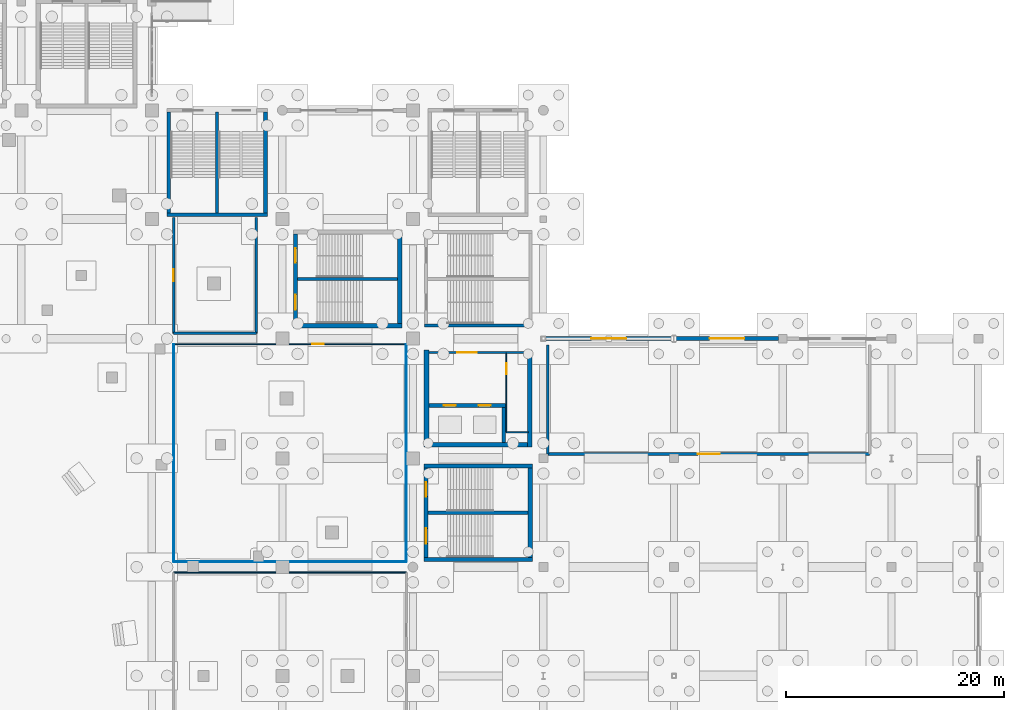
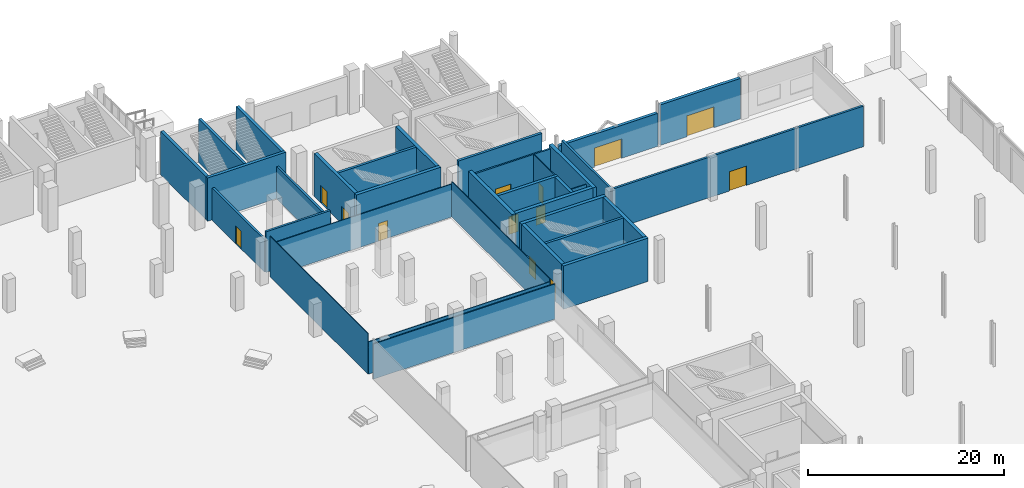
# One storey, part 56 of 70: 34 walls, 13 doors, 13 openings.
"""IFC4 building model written with IfcOpenShell, lengths in metres."""

from ifc_helpers import new_model, si_unit, direction, frame, frame_2d, origin, place, context, subcontext, project, spatial, rectangle, extrude, material, layer, layer_set, type_object, element, fill, save


model = new_model("IFC4")

# Units and contexts
model_context = context("Model", 3, precision=1e-05, world=origin(), true_north=direction((0.0, 1.0)))
body_context = subcontext(model_context, "Body", "Model", "MODEL_VIEW")
ifc_project = project(units=[si_unit("LENGTHUNIT", "METRE"), si_unit("AREAUNIT", "SQUARE_METRE"), si_unit("VOLUMEUNIT", "CUBIC_METRE"), si_unit("PLANEANGLEUNIT", "RADIAN"), si_unit("MASSUNIT", "GRAM", prefix="KILO")], contexts=[model_context])

# Site, building, storey
site_placement = place(None, origin())
site = spatial("IfcSite", under=ifc_project, at=site_placement, CompositionType="ELEMENT")
building_placement = place(site_placement, origin())
building = spatial("IfcBuilding", under=site, at=building_placement, Name="Brinegate Civic Arena", CompositionType="ELEMENT")
storey_placement = place(building_placement, origin())
storey = spatial("IfcBuildingStorey", under=building, at=storey_placement, Name="L00", CompositionType="ELEMENT", Elevation=0.0)

# Walls
ifc_material_1 = material(Name="Concrete C50/60", Category="concrete")
ifc_layer_1 = layer(ifc_material_1, 0.35009765625, Name="Concrete C50/60")
ifc_layer_set_1 = layer_set([ifc_layer_1], Name="Concrete C50/60")
wall_type_1 = type_object("IfcWallType", Name="WALL-CORE-SHEAR-350", PredefinedType="SHEAR", material=ifc_layer_set_1)
for number, where, z_axis, x_axis, name in (
    (1, (133.375, 104.39990234375, 0.0), (0.0, 0.0, 1.0), (1.0, 0.0, 0.0), "Stair ST-13 South Shear Wall L00 (WBE-30)"),
    (2, (133.550048828125, 104.574951171875, 0.0), (0.0, 0.0, 1.0), (0.0, 1.0, 0.0), "Stair ST-13 West Shear Wall L00 (WBE-32)"),
    (3, (142.449951171875, 104.574951171875, 0.0), (0.0, 0.0, 1.0), (0.0, 1.0, 0.0), "Stair ST-13 East Shear Wall L00 (WBE-33)"),
):
    element("IfcWall", number, at=place(storey_placement, frame(where, z_axis=z_axis, x_axis=x_axis)), inside=storey, type_object=wall_type_1, Name=name, PredefinedType="SHEAR", context=body_context, shape_type="SweptSolid", body=[
        extrude(rectangle(XDim=9.25, YDim=0.35009765625, at=frame_2d((4.625, 0.0))), origin(), (0.0, 0.0, 1.0), 5.39990234375),
    ])

# Wall, openings, doors
wall_1_placement = place(storey_placement, frame((157.4599609375, 86.85009765625, 0.0), z_axis=(0.0, 0.0, 1.0), x_axis=(1.0, 0.0, 0.0)))
wall_1 = element("IfcWall", 4, at=wall_1_placement, inside=storey, type_object=wall_type_1, Name="Core K5 Lift Shaft Front Wall L00 (WBH-43)", PredefinedType="SHEAR", context=body_context, shape_type="SweptSolid", body=[
    extrude(rectangle(XDim=7.06494140625, YDim=0.35009765625, at=frame_2d((3.532470703125, 0.0))), origin(), (0.0, 0.0, 1.0), 5.39990234375),
])
opening_1_placement = place(wall_1_placement, frame((1.389892578125, 0.0, 0.0)))
opening_1 = element("IfcOpeningElement", 5, at=opening_1_placement, cuts=wall_1, Name="Opening LD-PL7-L00", PredefinedType="OPENING", context=body_context, shape_type="SweptSolid", body=[
    extrude(rectangle(XDim=1.10009765625, YDim=2.199951171875, at=frame_2d((0.550048828125, 1.10009765625))), frame((0.0, 0.18505859375, 0.0), z_axis=(0.0, -1.0, 0.0), x_axis=(1.0, 0.0, 0.0)), (0.0, 0.0, 1.0), 0.3701171875),
])
opening_2_placement = place(wall_1_placement, frame((4.590087890625, 0.0, 0.0)))
opening_2 = element("IfcOpeningElement", 6, at=opening_2_placement, cuts=wall_1, Name="Opening LD-PL8-L00", PredefinedType="OPENING", context=body_context, shape_type="SweptSolid", body=[
    extrude(rectangle(XDim=1.10009765625, YDim=2.199951171875, at=frame_2d((0.550048828125, 1.10009765625))), frame((0.0, 0.18505859375, 0.0), z_axis=(0.0, -1.0, 0.0), x_axis=(1.0, 0.0, 0.0)), (0.0, 0.0, 1.0), 0.3701171875),
])
ifc_material_2 = material(Name="Architectural stainless steel balustrade", Category="steel")
door_type_1 = type_object("IfcDoorType", Name="DOOR-LIFT-1100X2200", OperationType="SLIDING_TO_LEFT", PredefinedType="DOOR", material=ifc_material_2)
door_1_placement = place(opening_1_placement, origin())
door_1 = element("IfcDoor", 7, at=door_1_placement, inside=storey, type_object=door_type_1, Name="Sliding Lift Landing Door LD-PL7-L00", OperationType="SLIDING_TO_LEFT", OverallHeight=2.199951171875, OverallWidth=1.10009765625, PredefinedType="DOOR", context=body_context, shape_type="SweptSolid", body=[
    extrude(rectangle(XDim=1.10009765625, YDim=2.199951171875, at=frame_2d((0.550048828125, 1.10009765625))), frame((0.0, 0.02490234375, 0.0), z_axis=(0.0, -1.0, 0.0), x_axis=(1.0, 0.0, 0.0)), (0.0, 0.0, 1.0), 0.050048828125),
])
fill(opening_1, door_1)
door_2_placement = place(opening_2_placement, origin())
door_2 = element("IfcDoor", 8, at=door_2_placement, inside=storey, type_object=door_type_1, Name="Sliding Lift Landing Door LD-PL8-L00", OperationType="SLIDING_TO_LEFT", OverallHeight=2.199951171875, OverallWidth=1.10009765625, PredefinedType="DOOR", context=body_context, shape_type="SweptSolid", body=[
    extrude(rectangle(XDim=1.10009765625, YDim=2.199951171875, at=frame_2d((0.550048828125, 1.10009765625))), frame((0.0, 0.02490234375, 0.0), z_axis=(0.0, -1.0, 0.0), x_axis=(1.0, 0.0, 0.0)), (0.0, 0.0, 1.0), 0.050048828125),
])
fill(opening_2, door_2)

# Walls
wall_2_placement = place(storey_placement, frame((164.35009765625, 83.4599609375, 0.0), z_axis=(0.0, 0.0, 1.0), x_axis=(0.0, 1.0, 0.0)))
element("IfcWall", 9, at=wall_2_placement, inside=storey, type_object=wall_type_1, Name="Core K5 Lift Shaft End Wall L00 (WBH-44)", PredefinedType="SHEAR", context=body_context, shape_type="SweptSolid", body=[
    extrude(rectangle(XDim=3.215087890625, YDim=0.35009765625, at=frame_2d((1.607421875, 0.0))), origin(), (0.0, 0.0, 1.0), 5.39990234375),
])
ifc_layer_2 = layer(ifc_material_1, 0.389892578125, Name="Concrete C50/60")
ifc_layer_set_2 = layer_set([ifc_layer_2], Name="Concrete C50/60")
wall_type_2 = type_object("IfcWallType", Name="WALL-CORE-SHEAR-390", PredefinedType="SHEAR", material=ifc_layer_set_2)
for number, where, z_axis, x_axis, name in (
    (10, (157.0048828125, 72.699951171875, 0.0), (0.0, 0.0, 1.0), (1.0, 0.0, 0.0), "Stair ST-09 South Shear Wall L00 (WBD-29)"),
    (11, (157.0048828125, 81.300048828125, 0.0), (0.0, 0.0, 1.0), (1.0, 0.0, 0.0), "Stair ST-09 North Shear Wall L00 (WBD-30)"),
):
    element("IfcWall", number, at=place(storey_placement, frame(where, z_axis=z_axis, x_axis=x_axis)), inside=storey, type_object=wall_type_2, Name=name, PredefinedType="SHEAR", context=body_context, shape_type="SweptSolid", body=[
        extrude(rectangle(XDim=9.990234375, YDim=0.389892578125, at=frame_2d((4.9951171875, 0.0))), origin(), (0.0, 0.0, 1.0), 5.39990234375),
    ])

# Wall, openings, doors
wall_3_placement = place(storey_placement, frame((157.199951171875, 72.89501953125, 0.0), z_axis=(0.0, 0.0, 1.0), x_axis=(0.0, 1.0, 0.0)))
wall_3 = element("IfcWall", 12, at=wall_3_placement, inside=storey, type_object=wall_type_2, Name="Stair ST-09 West Shear Wall L00 (WBD-31)", PredefinedType="SHEAR", context=body_context, shape_type="SweptSolid", body=[
    extrude(rectangle(XDim=8.2099609375, YDim=0.389892578125, at=frame_2d((4.10498046875, 0.0))), origin(), (0.0, 0.0, 1.0), 5.39990234375),
])
opening_3_placement = place(wall_3_placement, frame((1.2548828125, 0.0, 0.0)))
opening_3 = element("IfcOpeningElement", 13, at=opening_3_placement, cuts=wall_3, Name="Opening D-ST09A-L00", PredefinedType="OPENING", context=body_context, shape_type="SweptSolid", body=[
    extrude(rectangle(XDim=1.39990234375, YDim=2.199951171875, at=frame_2d((0.699951171875, 1.10009765625))), frame((0.0, 0.204833984375, 0.0), z_axis=(0.0, -1.0, 0.0), x_axis=(1.0, 0.0, 0.0)), (0.0, 0.0, 1.0), 0.409912109375),
])
opening_4_placement = place(wall_3_placement, frame((5.594970703125, 0.0, 0.0)))
opening_4 = element("IfcOpeningElement", 14, at=opening_4_placement, cuts=wall_3, Name="Opening D-ST09B-L00", PredefinedType="OPENING", context=body_context, shape_type="SweptSolid", body=[
    extrude(rectangle(XDim=1.320068359375, YDim=2.199951171875, at=frame_2d((0.66015625, 1.10009765625))), frame((0.0, 0.204833984375, 0.0), z_axis=(0.0, -1.0, 0.0), x_axis=(1.0, 0.0, 0.0)), (0.0, 0.0, 1.0), 0.409912109375),
])
ifc_material_3 = material(Name="Galvanized hurricane steel", Category="steel")
door_type_2 = type_object("IfcDoorType", Name="DOOR-STAIR-2200X2200", OperationType="NOTDEFINED", PredefinedType="DOOR", material=ifc_material_3)
door_3_placement = place(opening_4_placement, origin())
door_3 = element("IfcDoor", 15, at=door_3_placement, inside=storey, type_object=door_type_2, Name="Protected Exit Stair Door D-ST09B-L00", OperationType="DOUBLE_DOOR_SINGLE_SWING", OverallHeight=2.199951171875, OverallWidth=1.320068359375, PredefinedType="DOOR", context=body_context, shape_type="SweptSolid", body=[
    extrude(rectangle(XDim=1.320068359375, YDim=2.199951171875, at=frame_2d((0.66015625, 1.10009765625))), frame((0.0, 0.02490234375, 0.0), z_axis=(0.0, -1.0, 0.0), x_axis=(1.0, 0.0, 0.0)), (0.0, 0.0, 1.0), 0.050048828125),
])
fill(opening_4, door_3)
door_type_3 = type_object("IfcDoorType", Name="DOOR-STAIR-2400X2200", OperationType="NOTDEFINED", PredefinedType="DOOR", material=ifc_material_3)
door_4_placement = place(opening_3_placement, origin())
door_4 = element("IfcDoor", 16, at=door_4_placement, inside=storey, type_object=door_type_3, Name="Protected Exit Stair Door D-ST09A-L00", OperationType="DOUBLE_DOOR_SINGLE_SWING", OverallHeight=2.199951171875, OverallWidth=1.39990234375, PredefinedType="DOOR", context=body_context, shape_type="SweptSolid", body=[
    extrude(rectangle(XDim=1.39990234375, YDim=2.199951171875, at=frame_2d((0.699951171875, 1.10009765625))), frame((0.0, 0.02490234375, 0.0), z_axis=(0.0, -1.0, 0.0), x_axis=(1.0, 0.0, 0.0)), (0.0, 0.0, 1.0), 0.050048828125),
])
fill(opening_3, door_4)

# Walls
wall_4_placement = place(storey_placement, frame((166.800048828125, 72.89501953125, 0.0), z_axis=(0.0, 0.0, 1.0), x_axis=(0.0, 1.0, 0.0)))
element("IfcWall", 17, at=wall_4_placement, inside=storey, type_object=wall_type_2, Name="Stair ST-09 East Shear Wall L00 (WBD-32)", PredefinedType="SHEAR", context=body_context, shape_type="SweptSolid", body=[
    extrude(rectangle(XDim=8.2099609375, YDim=0.389892578125, at=frame_2d((4.10498046875, 0.0))), origin(), (0.0, 0.0, 1.0), 5.39990234375),
])
wall_5_placement = place(storey_placement, frame((145.0048828125, 94.199951171875, 0.0), z_axis=(0.0, 0.0, 1.0), x_axis=(1.0, 0.0, 0.0)))
element("IfcWall", 18, at=wall_5_placement, inside=storey, type_object=wall_type_2, Name="Stair ST-18 South Shear Wall L00 (WBL-01)", PredefinedType="SHEAR", context=body_context, shape_type="SweptSolid", body=[
    extrude(rectangle(XDim=9.990234375, YDim=0.389892578125, at=frame_2d((4.9951171875, 0.0))), origin(), (0.0, 0.0, 1.0), 5.39990234375),
])

# Wall, openings, doors
wall_6_placement = place(storey_placement, frame((145.199951171875, 94.39501953125, 0.0), z_axis=(0.0, 0.0, 1.0), x_axis=(0.0, 1.0, 0.0)))
wall_6 = element("IfcWall", 19, at=wall_6_placement, inside=storey, type_object=wall_type_2, Name="Stair ST-18 West Shear Wall L00 (WBL-03)", PredefinedType="SHEAR", context=body_context, shape_type="SweptSolid", body=[
    extrude(rectangle(XDim=8.2099609375, YDim=0.389892578125, at=frame_2d((4.10498046875, 0.0))), origin(), (0.0, 0.0, 1.0), 5.39990234375),
])
opening_5_placement = place(wall_6_placement, frame((1.2548828125, 0.0, 0.0)))
opening_5 = element("IfcOpeningElement", 20, at=opening_5_placement, cuts=wall_6, Name="Opening D-ST18A-L00", PredefinedType="OPENING", context=body_context, shape_type="SweptSolid", body=[
    extrude(rectangle(XDim=1.39990234375, YDim=2.199951171875, at=frame_2d((0.699951171875, 1.10009765625))), frame((0.0, 0.204833984375, 0.0), z_axis=(0.0, -1.0, 0.0), x_axis=(1.0, 0.0, 0.0)), (0.0, 0.0, 1.0), 0.409912109375),
])
opening_6_placement = place(wall_6_placement, frame((5.594970703125, 0.0, 0.0)))
opening_6 = element("IfcOpeningElement", 21, at=opening_6_placement, cuts=wall_6, Name="Opening D-ST18B-L00", PredefinedType="OPENING", context=body_context, shape_type="SweptSolid", body=[
    extrude(rectangle(XDim=1.320068359375, YDim=2.199951171875, at=frame_2d((0.66015625, 1.10009765625))), frame((0.0, 0.204833984375, 0.0), z_axis=(0.0, -1.0, 0.0), x_axis=(1.0, 0.0, 0.0)), (0.0, 0.0, 1.0), 0.409912109375),
])
door_5_placement = place(opening_6_placement, origin())
door_5 = element("IfcDoor", 22, at=door_5_placement, inside=storey, type_object=door_type_2, Name="Protected Exit Stair Door D-ST18B-L00", OperationType="DOUBLE_DOOR_SINGLE_SWING", OverallHeight=2.199951171875, OverallWidth=1.320068359375, PredefinedType="DOOR", context=body_context, shape_type="SweptSolid", body=[
    extrude(rectangle(XDim=1.320068359375, YDim=2.199951171875, at=frame_2d((0.66015625, 1.10009765625))), frame((0.0, 0.02490234375, 0.0), z_axis=(0.0, -1.0, 0.0), x_axis=(1.0, 0.0, 0.0)), (0.0, 0.0, 1.0), 0.050048828125),
])
fill(opening_6, door_5)
door_6_placement = place(opening_5_placement, origin())
door_6 = element("IfcDoor", 23, at=door_6_placement, inside=storey, type_object=door_type_3, Name="Protected Exit Stair Door D-ST18A-L00", OperationType="DOUBLE_DOOR_SINGLE_SWING", OverallHeight=2.199951171875, OverallWidth=1.39990234375, PredefinedType="DOOR", context=body_context, shape_type="SweptSolid", body=[
    extrude(rectangle(XDim=1.39990234375, YDim=2.199951171875, at=frame_2d((0.699951171875, 1.10009765625))), frame((0.0, 0.02490234375, 0.0), z_axis=(0.0, -1.0, 0.0), x_axis=(1.0, 0.0, 0.0)), (0.0, 0.0, 1.0), 0.050048828125),
])
fill(opening_5, door_6)

# Walls
wall_7_placement = place(storey_placement, frame((154.800048828125, 94.39501953125, 0.0), z_axis=(0.0, 0.0, 1.0), x_axis=(0.0, 1.0, 0.0)))
element("IfcWall", 24, at=wall_7_placement, inside=storey, type_object=wall_type_2, Name="Stair ST-18 East Shear Wall L00 (WBL-04)", PredefinedType="SHEAR", context=body_context, shape_type="SweptSolid", body=[
    extrude(rectangle(XDim=8.2099609375, YDim=0.389892578125, at=frame_2d((4.10498046875, 0.0))), origin(), (0.0, 0.0, 1.0), 5.39990234375),
])
ifc_layer_3 = layer(ifc_material_1, 0.419921875, Name="Concrete C50/60")
ifc_layer_set_3 = layer_set([ifc_layer_3], Name="Concrete C50/60")
wall_type_3 = type_object("IfcWallType", Name="WALL-CORE-SHEAR-420", PredefinedType="SHEAR", material=ifc_layer_set_3)
for number, where, z_axis, x_axis, name in (
    (25, (157.25, 83.0400390625, 0.0), (0.0, 0.0, 1.0), (0.0, 1.0, 0.0), "Core K5 West Shear Wall L00 (WBH-40)"),
    (26, (166.75, 83.0400390625, 0.0), (0.0, 0.0, 1.0), (0.0, 1.0, 0.0), "Core K5 East Shear Wall L00 (WBH-41)"),
):
    element("IfcWall", number, at=place(storey_placement, frame(where, z_axis=z_axis, x_axis=x_axis)), inside=storey, type_object=wall_type_3, Name=name, PredefinedType="SHEAR", context=body_context, shape_type="SweptSolid", body=[
        extrude(rectangle(XDim=8.919921875, YDim=0.419921875, at=frame_2d((4.4599609375, 0.0))), origin(), (0.0, 0.0, 1.0), 5.39990234375),
    ])
wall_8_placement = place(storey_placement, frame((157.4599609375, 83.25, 0.0), z_axis=(0.0, 0.0, 1.0), x_axis=(1.0, 0.0, 0.0)))
element("IfcWall", 27, at=wall_8_placement, inside=storey, type_object=wall_type_3, Name="Core K5 South Shear Wall L00 (WBH-42)", PredefinedType="SHEAR", context=body_context, shape_type="SweptSolid", body=[
    extrude(rectangle(XDim=9.080078125, YDim=0.419921875, at=frame_2d((4.5400390625, 0.0))), origin(), (0.0, 0.0, 1.0), 5.39990234375),
])

# Wall, opening, door
ifc_material_4 = material(Name="Precast concrete C45/55", Category="concrete")
ifc_layer_4 = layer(ifc_material_4, 0.360107421875, Name="Precast concrete C45/55")
ifc_layer_set_4 = layer_set([ifc_layer_4], Name="Precast concrete C45/55")
wall_type_4 = type_object("IfcWallType", Name="WALL-EXT-PRECAST-360", PredefinedType="SOLIDWALL", material=ifc_layer_set_4)
wall_9_placement = place(storey_placement, frame((168.159912109375, 93.0, 0.0), z_axis=(0.0, 0.0, 1.0), x_axis=(1.0, 0.0, 0.0)))
wall_9 = element("IfcWall", 28, at=wall_9_placement, inside=storey, type_object=wall_type_4, Name="L00 Perimeter Wall EN-1 (WBA-32)", PredefinedType="SOLIDWALL", context=body_context, shape_type="SweptSolid", body=[
    extrude(rectangle(XDim=11.693115234375, YDim=0.360107421875, at=frame_2d((5.8466796875, 0.0))), origin(), (0.0, 0.0, 1.0), 4.113037109375),
])
opening_7_placement = place(wall_9_placement, frame((4.2470703125, 0.0, 0.0)))
opening_7 = element("IfcOpeningElement", 29, at=opening_7_placement, cuts=wall_9, Name="Opening E-15", PredefinedType="OPENING", context=body_context, shape_type="SweptSolid", body=[
    extrude(rectangle(XDim=3.199951171875, YDim=2.39990234375, at=frame_2d((1.60009765625, 1.199951171875))), frame((0.0, 0.18994140625, 0.0), z_axis=(0.0, -1.0, 0.0), x_axis=(1.0, 0.0, 0.0)), (0.0, 0.0, 1.0), 0.380126953125),
])
ifc_material_5 = material(Name="Marine grade aluminium", Category="aluminium")
door_type_4 = type_object("IfcDoorType", Name="DOOR-FINAL-EXIT-3200X2400", OperationType="NOTDEFINED", PredefinedType="DOOR", material=ifc_material_5)
door_7_placement = place(opening_7_placement, origin())
door_7 = element("IfcDoor", 30, at=door_7_placement, inside=storey, type_object=door_type_4, Name="Main Pedestrian Final Exit Door E-15", OperationType="DOUBLE_DOOR_SINGLE_SWING", OverallHeight=2.39990234375, OverallWidth=3.199951171875, PredefinedType="DOOR", context=body_context, shape_type="SweptSolid", body=[
    extrude(rectangle(XDim=3.199951171875, YDim=2.39990234375, at=frame_2d((1.60009765625, 1.199951171875))), frame((0.0, 0.02490234375, 0.0), z_axis=(0.0, -1.0, 0.0), x_axis=(1.0, 0.0, 0.0)), (0.0, 0.0, 1.0), 0.050048828125),
])
fill(opening_7, door_7)

wall_10_placement = place(storey_placement, frame((180.14697265625, 93.0, 0.0), z_axis=(0.0, 0.0, 1.0), x_axis=(1.0, 0.0, 0.0)))
wall_10 = element("IfcWall", 31, at=wall_10_placement, inside=storey, type_object=wall_type_4, Name="L00 Perimeter Wall EN-2 (WBA-33)", PredefinedType="SOLIDWALL", context=body_context, shape_type="SweptSolid", body=[
    extrude(rectangle(XDim=9.468017578125, YDim=0.360107421875, at=frame_2d((4.73388671875, 0.0))), origin(), (0.0, 0.0, 1.0), 5.06005859375),
])
opening_8_placement = place(wall_10_placement, frame((3.134033203125, 0.0, 0.0)))
opening_8 = element("IfcOpeningElement", 32, at=opening_8_placement, cuts=wall_10, Name="Opening E-16", PredefinedType="OPENING", context=body_context, shape_type="SweptSolid", body=[
    extrude(rectangle(XDim=3.199951171875, YDim=2.60009765625, at=frame_2d((1.60009765625, 1.300048828125))), frame((0.0, 0.18994140625, 0.0), z_axis=(0.0, -1.0, 0.0), x_axis=(1.0, 0.0, 0.0)), (0.0, 0.0, 1.0), 0.380126953125),
])
door_type_5 = type_object("IfcDoorType", Name="DOOR-FINAL-EXIT-3200X2600", OperationType="NOTDEFINED", PredefinedType="DOOR", material=ifc_material_5)
door_8_placement = place(opening_8_placement, origin())
door_8 = element("IfcDoor", 33, at=door_8_placement, inside=storey, type_object=door_type_5, Name="Main Pedestrian Final Exit Door E-16", OperationType="DOUBLE_DOOR_SINGLE_SWING", OverallHeight=2.60009765625, OverallWidth=3.199951171875, PredefinedType="DOOR", context=body_context, shape_type="SweptSolid", body=[
    extrude(rectangle(XDim=3.199951171875, YDim=2.60009765625, at=frame_2d((1.60009765625, 1.300048828125))), frame((0.0, 0.02490234375, 0.0), z_axis=(0.0, -1.0, 0.0), x_axis=(1.0, 0.0, 0.0)), (0.0, 0.0, 1.0), 0.050048828125),
])
fill(opening_8, door_8)

# Wall
ifc_material_6 = material(Name="Concrete C40/50", Category="concrete")
ifc_layer_5 = layer(ifc_material_6, 0.25, Name="Concrete C40/50")
ifc_layer_set_5 = layer_set([ifc_layer_5], Name="Concrete C40/50")
wall_type_5 = type_object("IfcWallType", Name="WALL-INT-SOLID-250", PredefinedType="SOLIDWALL", material=ifc_layer_set_5)
wall_11_placement = place(storey_placement, frame((141.60009765625, 93.5, 0.0), z_axis=(0.0, 0.0, 1.0), x_axis=(-1.0, 0.0, 0.0)))
element("IfcWall", 34, at=wall_11_placement, inside=storey, type_object=wall_type_5, Name="Match Officials and Referees Changing Suite Partition Wall E1 (WBI-40)", PredefinedType="SOLIDWALL", context=body_context, shape_type="SweptSolid", body=[
    extrude(rectangle(XDim=7.60009765625, YDim=0.25, at=frame_2d((3.800048828125, 0.0))), origin(), (0.0, 0.0, 1.0), 5.06005859375),
])

# Wall, opening, door
wall_12_placement = place(storey_placement, frame((134.0, 93.5, 0.0), z_axis=(0.0, 0.0, 1.0), x_axis=(0.0, 1.0, 0.0)))
wall_12 = element("IfcWall", 35, at=wall_12_placement, inside=storey, type_object=wall_type_5, Name="Match Officials and Referees Changing Suite Partition Wall E2 (WBI-41)", PredefinedType="SOLIDWALL", context=body_context, shape_type="SweptSolid", body=[
    extrude(rectangle(XDim=10.64990234375, YDim=0.25, at=frame_2d((5.324951171875, 0.0))), origin(), (0.0, 0.0, 1.0), 4.0400390625),
])
opening_9_placement = place(wall_12_placement, frame((4.77490234375, 0.0, 0.0)))
opening_9 = element("IfcOpeningElement", 36, at=opening_9_placement, cuts=wall_12, Name="Opening D-L00-154", PredefinedType="OPENING", context=body_context, shape_type="SweptSolid", body=[
    extrude(rectangle(XDim=1.10009765625, YDim=2.199951171875, at=frame_2d((0.550048828125, 1.10009765625))), frame((0.0, 0.135009765625, 0.0), z_axis=(0.0, -1.0, 0.0), x_axis=(1.0, 0.0, 0.0)), (0.0, 0.0, 1.0), 0.27001953125),
])
ifc_material_7 = material(Name="Hardwood acoustic timber door", Category="wood")
door_type_6 = type_object("IfcDoorType", Name="DOOR-LOCKER-1100X2200", OperationType="NOTDEFINED", PredefinedType="DOOR", material=ifc_material_7)
door_9_placement = place(opening_9_placement, origin())
door_9 = element("IfcDoor", 37, at=door_9_placement, inside=storey, type_object=door_type_6, Name="Match Officials and Referees Changing Suite Door D-L00-154", OperationType="SINGLE_SWING_RIGHT", OverallHeight=2.199951171875, OverallWidth=1.10009765625, PredefinedType="DOOR", context=body_context, shape_type="SweptSolid", body=[
    extrude(rectangle(XDim=1.10009765625, YDim=2.199951171875, at=frame_2d((0.550048828125, 1.10009765625))), frame((0.0, 0.02490234375, 0.0), z_axis=(0.0, -1.0, 0.0), x_axis=(1.0, 0.0, 0.0)), (0.0, 0.0, 1.0), 0.050048828125),
])
fill(opening_9, door_9)

# Wall
wall_13_placement = place(storey_placement, frame((141.60009765625, 104.14990234375, 0.0), z_axis=(0.0, 0.0, 1.0), x_axis=(0.0, -1.0, 0.0)))
element("IfcWall", 38, at=wall_13_placement, inside=storey, type_object=wall_type_5, Name="Match Officials and Referees Changing Suite Partition Wall E13 (WBI-42)", PredefinedType="SOLIDWALL", context=body_context, shape_type="SweptSolid", body=[
    extrude(rectangle(XDim=10.64990234375, YDim=0.25, at=frame_2d((5.324951171875, 0.0))), origin(), (0.0, 0.0, 1.0), 4.0400390625),
])

# Wall, opening, door
wall_14_placement = place(storey_placement, frame((198.0, 82.39990234375, 0.0), z_axis=(0.0, 0.0, 1.0), x_axis=(-1.0, 0.0, 0.0)))
wall_14 = element("IfcWall", 39, at=wall_14_placement, inside=storey, type_object=wall_type_5, Name="Stage and Rigging Storage Hall Partition Wall E2 (WBI-44)", PredefinedType="SOLIDWALL", context=body_context, shape_type="SweptSolid", body=[
    extrude(rectangle(XDim=29.60009765625, YDim=0.25, at=frame_2d((14.800048828125, 0.0))), origin(), (0.0, 0.0, 1.0), 5.06005859375),
])
opening_10_placement = place(wall_14_placement, frame((13.800048828125, 0.0, 0.0)))
opening_10 = element("IfcOpeningElement", 40, at=opening_10_placement, cuts=wall_14, Name="Opening D-L00-155", PredefinedType="OPENING", context=body_context, shape_type="SweptSolid", body=[
    extrude(rectangle(XDim=2.0, YDim=2.39990234375, at=frame_2d((1.0, 1.199951171875))), frame((0.0, 0.135009765625, 0.0), z_axis=(0.0, -1.0, 0.0), x_axis=(1.0, 0.0, 0.0)), (0.0, 0.0, 1.0), 0.27001953125),
])
door_type_7 = type_object("IfcDoorType", Name="DOOR-PLANT-2000X2400", OperationType="NOTDEFINED", PredefinedType="DOOR", material=ifc_material_3)
door_10_placement = place(opening_10_placement, origin())
door_10 = element("IfcDoor", 41, at=door_10_placement, inside=storey, type_object=door_type_7, Name="Stage and Rigging Storage Hall Door D-L00-155", OperationType="DOUBLE_DOOR_SINGLE_SWING", OverallHeight=2.39990234375, OverallWidth=2.0, PredefinedType="DOOR", context=body_context, shape_type="SweptSolid", body=[
    extrude(rectangle(XDim=2.0, YDim=2.39990234375, at=frame_2d((1.0, 1.199951171875))), frame((0.0, 0.02490234375, 0.0), z_axis=(0.0, -1.0, 0.0), x_axis=(1.0, 0.0, 0.0)), (0.0, 0.0, 1.0), 0.050048828125),
])
fill(opening_10, door_10)

# Walls
wall_15_placement = place(storey_placement, frame((168.39990234375, 82.39990234375, 0.0), z_axis=(0.0, 0.0, 1.0), x_axis=(0.0, 1.0, 0.0)))
element("IfcWall", 42, at=wall_15_placement, inside=storey, type_object=wall_type_5, Name="Stage and Rigging Storage Hall Partition Wall E3 (WBI-45)", PredefinedType="SOLIDWALL", context=body_context, shape_type="SweptSolid", body=[
    extrude(rectangle(XDim=10.0, YDim=0.25, at=frame_2d((5.0, 0.0))), origin(), (0.0, 0.0, 1.0), 5.06005859375),
])
ifc_material_8 = material(Name="Fire-rated gypsum partition assembly")
ifc_layer_6 = layer(ifc_material_8, 0.1298828125, Name="Fire-rated gypsum partition assembly")
ifc_layer_set_6 = layer_set([ifc_layer_6], Name="Fire-rated gypsum partition assembly")
wall_type_6 = type_object("IfcWallType", Name="WALL-PART-ACOUSTIC-130", PredefinedType="PARTITIONING", material=ifc_layer_set_6)
wall_16_placement = place(storey_placement, frame((134.0, 71.5, 0.0), z_axis=(0.0, 0.0, 1.0), x_axis=(1.0, 0.0, 0.0)))
element("IfcWall", 43, at=wall_16_placement, inside=storey, type_object=wall_type_6, Name="Home Athlete Locker and Shower Suite Partition Wall E4 (WBI-27)", PredefinedType="PARTITIONING", context=body_context, shape_type="SweptSolid", body=[
    extrude(rectangle(XDim=21.39990234375, YDim=0.1298828125, at=frame_2d((10.699951171875, 0.0))), origin(), (0.0, 0.0, 1.0), 4.389892578125),
])
ifc_layer_7 = layer(ifc_material_8, 0.090087890625, Name="Fire-rated gypsum partition assembly")
ifc_layer_set_7 = layer_set([ifc_layer_7], Name="Fire-rated gypsum partition assembly")
wall_type_7 = type_object("IfcWallType", Name="WALL-PART-LIGHT-090", PredefinedType="PARTITIONING", material=ifc_layer_set_7)
wall_17_placement = place(storey_placement, frame((155.39990234375, 92.5, 0.0), z_axis=(0.0, 0.0, 1.0), x_axis=(0.0, -1.0, 0.0)))
element("IfcWall", 44, at=wall_17_placement, inside=storey, type_object=wall_type_7, Name="Sports Medicine, Doping Control and Physio Clinic Partition Wall E1 (WBI-36)", PredefinedType="PARTITIONING", context=body_context, shape_type="SweptSolid", body=[
    extrude(rectangle(XDim=20.0, YDim=0.090087890625, at=frame_2d((10.0, 0.0))), origin(), (0.0, 0.0, 1.0), 4.389892578125),
])
wall_18_placement = place(storey_placement, frame((155.39990234375, 72.5, 0.0), z_axis=(0.0, 0.0, 1.0), x_axis=(-1.0, 0.0, 0.0)))
element("IfcWall", 45, at=wall_18_placement, inside=storey, type_object=wall_type_7, Name="Sports Medicine, Doping Control and Physio Clinic Partition Wall E2 (WBI-37)", PredefinedType="PARTITIONING", context=body_context, shape_type="SweptSolid", body=[
    extrude(rectangle(XDim=21.39990234375, YDim=0.090087890625, at=frame_2d((10.699951171875, 0.0))), origin(), (0.0, 0.0, 1.0), 4.0400390625),
])
wall_19_placement = place(storey_placement, frame((134.0, 72.5, 0.0), z_axis=(0.0, 0.0, 1.0), x_axis=(0.0, 1.0, 0.0)))
element("IfcWall", 46, at=wall_19_placement, inside=storey, type_object=wall_type_7, Name="Sports Medicine, Doping Control and Physio Clinic Partition Wall E3 (WBI-38)", PredefinedType="PARTITIONING", context=body_context, shape_type="SweptSolid", body=[
    extrude(rectangle(XDim=20.0, YDim=0.090087890625, at=frame_2d((10.0, 0.0))), origin(), (0.0, 0.0, 1.0), 5.06005859375),
])

# Wall, opening, door
wall_20_placement = place(storey_placement, frame((134.0, 92.5, 0.0), z_axis=(0.0, 0.0, 1.0), x_axis=(1.0, 0.0, 0.0)))
wall_20 = element("IfcWall", 47, at=wall_20_placement, inside=storey, type_object=wall_type_7, Name="Sports Medicine, Doping Control and Physio Clinic Partition Wall E4 (WBI-39)", PredefinedType="PARTITIONING", context=body_context, shape_type="SweptSolid", body=[
    extrude(rectangle(XDim=21.39990234375, YDim=0.090087890625, at=frame_2d((10.699951171875, 0.0))), origin(), (0.0, 0.0, 1.0), 4.113037109375),
])
opening_11_placement = place(wall_20_placement, frame((12.742919921875, 0.0, 0.0)))
opening_11 = element("IfcOpeningElement", 48, at=opening_11_placement, cuts=wall_20, Name="Opening D-L00-153", PredefinedType="OPENING", context=body_context, shape_type="SweptSolid", body=[
    extrude(rectangle(XDim=1.050048828125, YDim=2.199951171875, at=frame_2d((0.52490234375, 1.10009765625))), frame((0.0, 0.054931640625, 0.0), z_axis=(0.0, -1.0, 0.0), x_axis=(1.0, 0.0, 0.0)), (0.0, 0.0, 1.0), 0.110107421875),
])
door_type_8 = type_object("IfcDoorType", Name="DOOR-SUITE-1050X2200", OperationType="NOTDEFINED", PredefinedType="DOOR", material=ifc_material_7)
door_11_placement = place(opening_11_placement, origin())
door_11 = element("IfcDoor", 49, at=door_11_placement, inside=storey, type_object=door_type_8, Name="Sports Medicine, Doping Control and Physio Clinic Door D-L00-153", OperationType="SINGLE_SWING_LEFT", OverallHeight=2.199951171875, OverallWidth=1.050048828125, PredefinedType="DOOR", context=body_context, shape_type="SweptSolid", body=[
    extrude(rectangle(XDim=1.050048828125, YDim=2.199951171875, at=frame_2d((0.52490234375, 1.10009765625))), frame((0.0, 0.02490234375, 0.0), z_axis=(0.0, -1.0, 0.0), x_axis=(1.0, 0.0, 0.0)), (0.0, 0.0, 1.0), 0.050048828125),
])
fill(opening_11, door_11)

ifc_material_9 = material(Name="Concrete blockwork masonry", Category="masonry")
ifc_layer_8 = layer(ifc_material_9, 0.18994140625, Name="Concrete blockwork masonry")
ifc_layer_set_8 = layer_set([ifc_layer_8], Name="Concrete blockwork masonry")
wall_type_8 = type_object("IfcWallType", Name="WALL-PART-RATED-190", PredefinedType="PARTITIONING", material=ifc_layer_set_8)
wall_21_placement = place(storey_placement, frame((157.469970703125, 91.75, 0.0), z_axis=(0.0, 0.0, 1.0), x_axis=(1.0, 0.0, 0.0)))
wall_21 = element("IfcWall", 50, at=wall_21_placement, inside=storey, type_object=wall_type_8, Name="Core K5 Concourse Lobby Wall L00 (WBH-45)", PredefinedType="PARTITIONING", context=body_context, shape_type="SweptSolid", body=[
    extrude(rectangle(XDim=9.06005859375, YDim=0.18994140625, at=frame_2d((4.530029296875, 0.0))), origin(), (0.0, 0.0, 1.0), 5.06005859375),
])
opening_12_placement = place(wall_21_placement, frame((2.60009765625, 0.0, 0.0)))
opening_12 = element("IfcOpeningElement", 51, at=opening_12_placement, cuts=wall_21, Name="Opening D-K5L-L00", PredefinedType="OPENING", context=body_context, shape_type="SweptSolid", body=[
    extrude(rectangle(XDim=1.800048828125, YDim=2.300048828125, at=frame_2d((0.89990234375, 1.14990234375))), frame((0.0, 0.10498046875, 0.0), z_axis=(0.0, -1.0, 0.0), x_axis=(1.0, 0.0, 0.0)), (0.0, 0.0, 1.0), 0.2099609375),
])
door_type_9 = type_object("IfcDoorType", Name="DOOR-CONC-1800X2300", OperationType="NOTDEFINED", PredefinedType="DOOR", material=ifc_material_5)
door_12_placement = place(opening_12_placement, origin())
door_12 = element("IfcDoor", 52, at=door_12_placement, inside=storey, type_object=door_type_9, Name="Lift Lobby Door D-K5L-L00", OperationType="DOUBLE_DOOR_SINGLE_SWING", OverallHeight=2.300048828125, OverallWidth=1.800048828125, PredefinedType="DOOR", context=body_context, shape_type="SweptSolid", body=[
    extrude(rectangle(XDim=1.800048828125, YDim=2.300048828125, at=frame_2d((0.89990234375, 1.14990234375))), frame((0.0, 0.02490234375, 0.0), z_axis=(0.0, -1.0, 0.0), x_axis=(1.0, 0.0, 0.0)), (0.0, 0.0, 1.0), 0.050048828125),
])
fill(opening_12, door_12)

ifc_layer_9 = layer(ifc_material_9, 0.10009765625, Name="Concrete blockwork masonry")
ifc_layer_set_9 = layer_set([ifc_layer_9], Name="Concrete blockwork masonry")
wall_type_9 = type_object("IfcWallType", Name="WALL-PART-WET-100", PredefinedType="PARTITIONING", material=ifc_layer_set_9)
wall_22_placement = place(storey_placement, frame((164.60009765625, 84.39990234375, 0.0), z_axis=(0.0, 0.0, 1.0), x_axis=(0.0, 1.0, 0.0)))
wall_22 = element("IfcWall", 53, at=wall_22_placement, inside=storey, type_object=wall_type_9, Name="Accessible WC K5 Partition L00 (WBH-46)", PredefinedType="PARTITIONING", context=body_context, shape_type="SweptSolid", body=[
    extrude(rectangle(XDim=7.25, YDim=0.10009765625, at=frame_2d((3.625, 0.0))), origin(), (0.0, 0.0, 1.0), 5.06005859375),
])
opening_13_placement = place(wall_22_placement, frame((5.35009765625, 0.0, 0.0)))
opening_13 = element("IfcOpeningElement", 54, at=opening_13_placement, cuts=wall_22, Name="Opening D-K5W-L00", PredefinedType="OPENING", context=body_context, shape_type="SweptSolid", body=[
    extrude(rectangle(XDim=1.0, YDim=2.10009765625, at=frame_2d((0.5, 1.050048828125))), frame((0.0, 0.06005859375, 0.0), z_axis=(0.0, -1.0, 0.0), x_axis=(1.0, 0.0, 0.0)), (0.0, 0.0, 1.0), 0.1201171875),
])
door_type_10 = type_object("IfcDoorType", Name="DOOR-AWC-1000X2100", OperationType="NOTDEFINED", PredefinedType="DOOR", material=ifc_material_7)
door_13_placement = place(opening_13_placement, origin())
door_13 = element("IfcDoor", 55, at=door_13_placement, inside=storey, type_object=door_type_10, Name="Accessible WC Door D-K5W-L00", OperationType="SINGLE_SWING_RIGHT", OverallHeight=2.10009765625, OverallWidth=1.0, PredefinedType="DOOR", context=body_context, shape_type="SweptSolid", body=[
    extrude(rectangle(XDim=1.0, YDim=2.10009765625, at=frame_2d((0.5, 1.050048828125))), frame((0.0, 0.02490234375, 0.0), z_axis=(0.0, -1.0, 0.0), x_axis=(1.0, 0.0, 0.0)), (0.0, 0.0, 1.0), 0.050048828125),
])
fill(opening_13, door_13)

# Walls
wall_23_placement = place(storey_placement, frame((164.60009765625, 84.39990234375, 0.0), z_axis=(0.0, 0.0, 1.0), x_axis=(1.0, 0.0, 0.0)))
element("IfcWall", 56, at=wall_23_placement, inside=storey, type_object=wall_type_9, Name="Accessible WC K5 Back Partition L00 (WBH-47)", PredefinedType="PARTITIONING", context=body_context, shape_type="SweptSolid", body=[
    extrude(rectangle(XDim=2.0, YDim=0.10009765625, at=frame_2d((1.0, 0.0))), origin(), (0.0, 0.0, 1.0), 5.06005859375),
])
ifc_layer_10 = layer(ifc_material_1, 0.2900390625, Name="Concrete C50/60")
ifc_layer_set_10 = layer_set([ifc_layer_10], Name="Concrete C50/60")
wall_type_10 = type_object("IfcWallType", Name="WALL-STAIR-SHEAR-290", PredefinedType="SHEAR", material=ifc_layer_set_10)
wall_24_placement = place(storey_placement, frame((157.39501953125, 77.0, 0.0), z_axis=(0.0, 0.0, 1.0), x_axis=(1.0, 0.0, 0.0)))
element("IfcWall", 57, at=wall_24_placement, inside=storey, type_object=wall_type_10, Name="Stair ST-09 Central Dividing Shear Wall L00 (WBD-33)", PredefinedType="SHEAR", context=body_context, shape_type="SweptSolid", body=[
    extrude(rectangle(XDim=9.2099609375, YDim=0.2900390625, at=frame_2d((4.60498046875, 0.0))), origin(), (0.0, 0.0, 1.0), 5.39990234375),
])
wall_25_placement = place(storey_placement, frame((138.0, 104.574951171875, 0.0), z_axis=(0.0, 0.0, 1.0), x_axis=(0.0, 1.0, 0.0)))
element("IfcWall", 58, at=wall_25_placement, inside=storey, type_object=wall_type_10, Name="Stair ST-13 Central Dividing Shear Wall L00 (WBE-34)", PredefinedType="SHEAR", context=body_context, shape_type="SweptSolid", body=[
    extrude(rectangle(XDim=9.25, YDim=0.2900390625, at=frame_2d((4.625, 0.0))), origin(), (0.0, 0.0, 1.0), 5.39990234375),
])
wall_26_placement = place(storey_placement, frame((145.39501953125, 98.5, 0.0), z_axis=(0.0, 0.0, 1.0), x_axis=(1.0, 0.0, 0.0)))
element("IfcWall", 59, at=wall_26_placement, inside=storey, type_object=wall_type_10, Name="Stair ST-18 Central Dividing Shear Wall L00 (WBL-05)", PredefinedType="SHEAR", context=body_context, shape_type="SweptSolid", body=[
    extrude(rectangle(XDim=9.2099609375, YDim=0.2900390625, at=frame_2d((4.60498046875, 0.0))), origin(), (0.0, 0.0, 1.0), 5.39990234375),
])
wall_27_placement = place(storey_placement, frame((157.054931640625, 94.199951171875, 0.0), z_axis=(0.0, 0.0, 1.0), x_axis=(1.0, 0.0, 0.0)))
element("IfcWall", 60, at=wall_27_placement, inside=storey, type_object=wall_type_10, Name="Stair ST-20 South Shear Wall L00 (WBL-51)", PredefinedType="SHEAR", context=body_context, shape_type="SweptSolid", body=[
    extrude(rectangle(XDim=9.89013671875, YDim=0.2900390625, at=frame_2d((4.945068359375, 0.0))), origin(), (0.0, 0.0, 1.0), 5.39990234375),
])

save(model, "model.ifc")
